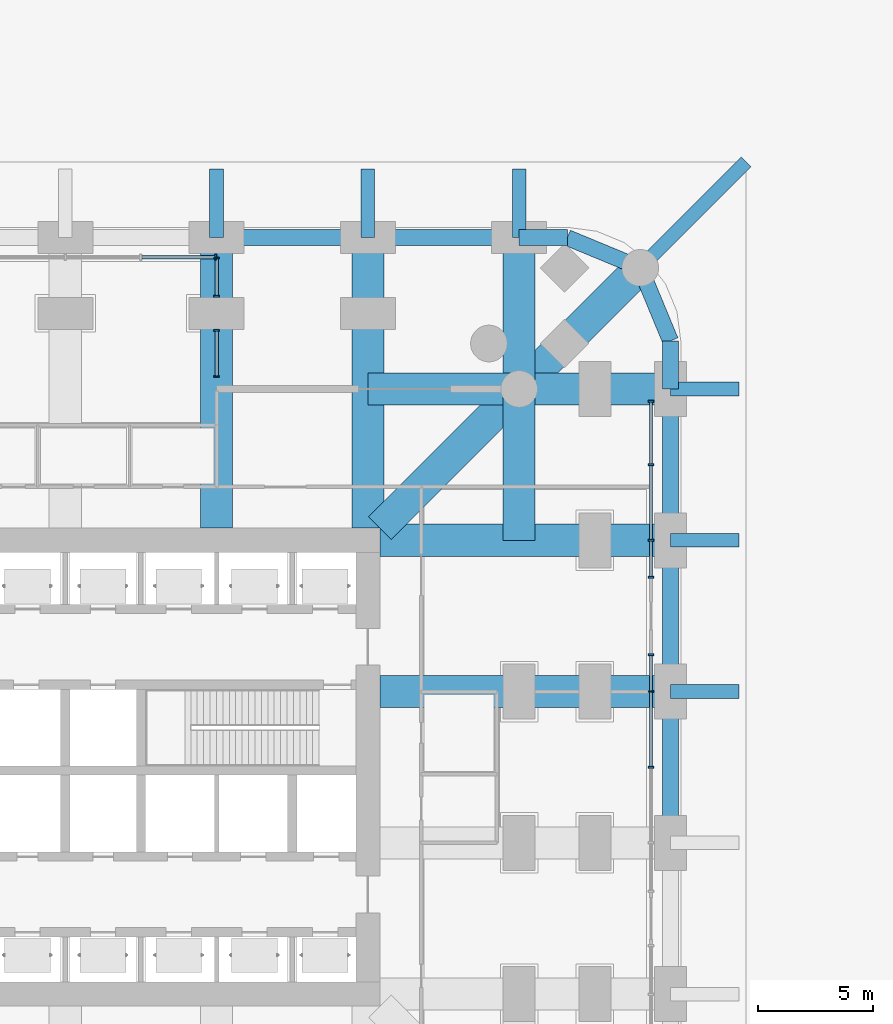
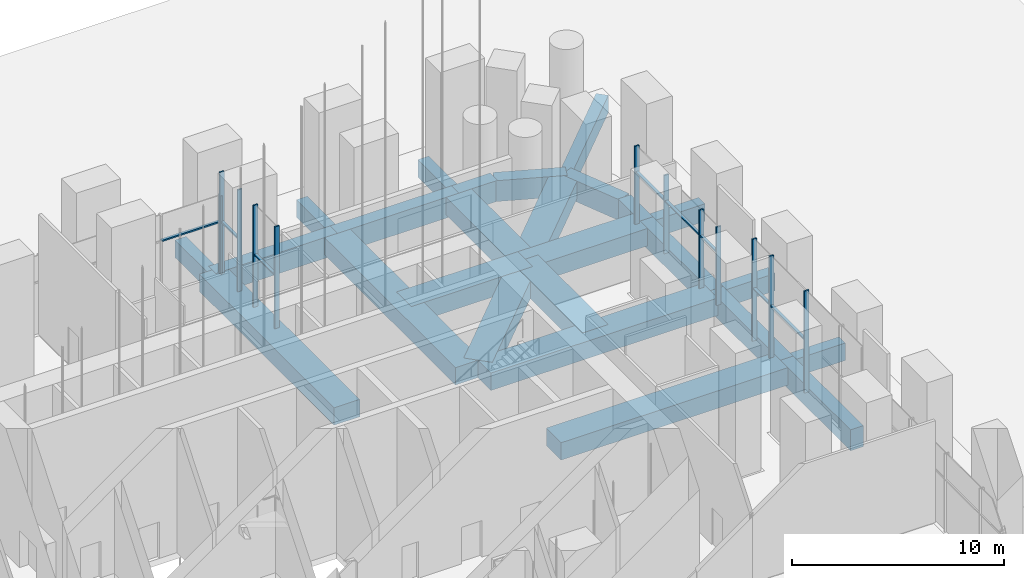
# One storey, part 11 of 32: 26 beams, 20 members, 5 elements without a shape of their own.
"""IFC4 building model written with IfcOpenShell, lengths in metres."""

import ifcopenshell
import ifcopenshell.guid

model = None  # the IFC model being written
_history = None  # IfcOwnerHistory: only IFC2X3 demands one
_inside = {}  # id of a spatial element -> (the spatial element, [elements in it])
_under = {}  # id of a project, library or spatial element -> (it, [spatial elements below it])
_declared = {}  # id of a project -> (the project, [libraries it declares])
_typed = {}  # id of a type object -> (the type object, [elements of that type])
_made_of = {}  # id of a material, layer set ... -> (it, [elements and type objects made of it])


def new_model(schema):
    """Start an empty IFC model of exactly this schema.

    Asked for "IFC4X3", IfcOpenShell would pick the latest addendum, in which some entities
    have other attributes; the version numbers below select the first issue.
    IFC2X3 requires an IfcOwnerHistory on every rooted entity: one is made here for all.
    """
    global model, _history
    if schema == "IFC4X3":
        model = ifcopenshell.file(schema_version=(4, 3, 0, 0))
    else:
        model = ifcopenshell.file(schema=schema)
    _inside.clear()
    _under.clear()
    _declared.clear()
    _typed.clear()
    _made_of.clear()
    _history = None
    if model.schema == "IFC2X3":
        org = make("IfcOrganization", Name="unknown")
        user = make(
            "IfcPersonAndOrganization",
            ThePerson=make("IfcPerson", FamilyName="unknown"),
            TheOrganization=org,
        )
        app = make(
            "IfcApplication",
            ApplicationDeveloper=org,
            Version="unknown",
            ApplicationFullName="unknown",
            ApplicationIdentifier="unknown",
        )
        _history = make(
            "IfcOwnerHistory",
            OwningUser=user,
            OwningApplication=app,
            ChangeAction="ADDED",
            CreationDate=0,
        )
    return model


def make(cls, **values):
    """One entity of the class cls with the attributes given. An attribute that is None is left unset."""
    return model.create_entity(
        cls, **{name: value for name, value in values.items() if value is not None}
    )


def rooted(cls, **values):
    """An entity with a GlobalId (a new one), such as an element, a storey or a relation."""
    return make(cls, GlobalId=ifcopenshell.guid.new(), OwnerHistory=_history, **values)


def si_unit(unit_type, name, prefix=None):
    """IfcSIUnit, for example si_unit("LENGTHUNIT", "METRE", prefix="MILLI")."""
    return make("IfcSIUnit", UnitType=unit_type, Prefix=prefix, Name=name)


def assignment(units):
    """IfcUnitAssignment: the units of a project."""
    return None if units is None else make("IfcUnitAssignment", Units=units)


def point(xyz):
    """IfcCartesianPoint."""
    return None if xyz is None else make("IfcCartesianPoint", Coordinates=xyz)


def direction(xyz):
    """IfcDirection."""
    return None if xyz is None else make("IfcDirection", DirectionRatios=xyz)


def frame(location, z_axis=None, x_axis=None):
    """IfcAxis2Placement3D, a coordinate frame: its origin and axes. An axis left out is left unset."""
    return make(
        "IfcAxis2Placement3D",
        Location=point(location),
        Axis=direction(z_axis),
        RefDirection=direction(x_axis),
    )


def frame_2d(location, x_axis=None):
    """IfcAxis2Placement2D, a coordinate frame in the plane: its origin and x axis."""
    return make(
        "IfcAxis2Placement2D", Location=point(location), RefDirection=direction(x_axis)
    )


def origin():
    """The frame at (0, 0, 0) with its axes left unset."""
    return frame((0.0, 0.0, 0.0))


def origin_2d():
    """The frame at (0, 0) in the plane with its x axis left unset."""
    return frame_2d((0.0, 0.0))


def place(relative_to, where):
    """IfcLocalPlacement: puts the frame where relative to a parent placement (None: the world)."""
    return make(
        "IfcLocalPlacement", PlacementRelTo=relative_to, RelativePlacement=where
    )


def context(
    kind, dimensions, precision=None, world=None, true_north=None, identifier=None
):
    """IfcGeometricRepresentationContext, for example the 3D "Model" context."""
    return make(
        "IfcGeometricRepresentationContext",
        ContextIdentifier=identifier,
        ContextType=kind,
        CoordinateSpaceDimension=dimensions,
        Precision=precision,
        WorldCoordinateSystem=world,
        TrueNorth=true_north,
    )


def subcontext(parent, identifier, kind, view, scale=None):
    """IfcGeometricRepresentationSubContext, for example "Body" below "Model"."""
    return make(
        "IfcGeometricRepresentationSubContext",
        ContextIdentifier=identifier,
        ContextType=kind,
        ParentContext=parent,
        TargetScale=scale,
        TargetView=view,
    )


def project(units=None, contexts=None):
    """IfcProject with its units and contexts."""
    return rooted(
        "IfcProject",
        Name="project",
        RepresentationContexts=contexts,
        UnitsInContext=assignment(units),
    )


def spatial(cls, under=None, at=None, **own):
    """A site, building, storey or space (cls), placed at a placement, below another one or the project."""
    s = rooted(cls, ObjectPlacement=at, **own)
    if under is not None:
        _under.setdefault(under.id(), (under, []))[1].append(s)
    return s


def profile(cls, at=None, kind="AREA", **sizes):
    """A parametric profile (cls). Its sizes go by their IFC names, for example OverallWidth=200.0."""
    return make(cls, ProfileType=kind, Position=at, **sizes)


def rectangle(**sizes):
    """IfcRectangleProfileDef."""
    return profile("IfcRectangleProfileDef", **sizes)


def extrude(swept, where, along, depth):
    """IfcExtrudedAreaSolid: the profile swept, set in the frame where, extruded along a direction by depth."""
    return make(
        "IfcExtrudedAreaSolid",
        SweptArea=swept,
        Position=where,
        ExtrudedDirection=direction(along),
        Depth=depth,
    )


def shape(context_of_items, identifier, shape_type, items):
    """IfcShapeRepresentation: the items that make up one representation, for example the "Body"."""
    return make(
        "IfcShapeRepresentation",
        ContextOfItems=context_of_items,
        RepresentationIdentifier=identifier,
        RepresentationType=shape_type,
        Items=items,
    )


def material(Name=None, Category=None):
    """IfcMaterial."""
    return make("IfcMaterial", Name=Name, Category=Category)


def material_profile(
    of_material, cross_section, Name=None, Category=None, Priority=None
):
    """IfcMaterialProfile: a cross section and its material."""
    return make(
        "IfcMaterialProfile",
        Name=Name,
        Material=of_material,
        Profile=cross_section,
        Priority=Priority,
        Category=Category,
    )


def profile_set(profiles, Name=None, composite=None):
    """IfcMaterialProfileSet."""
    return make(
        "IfcMaterialProfileSet",
        Name=Name,
        MaterialProfiles=profiles,
        CompositeProfile=composite,
    )


def made_of(thing, what):
    """Note that an element or type object is made of a material, layer set ...; save() writes the relation."""
    if what is not None:
        _made_of.setdefault(what.id(), (what, []))[1].append(thing)
    return thing


def type_object(cls, material=None, **own):
    """A type object (cls), such as IfcWallType, which elements share."""
    return made_of(rooted(cls, **own), material)


def element(
    cls,
    number,
    at=None,
    inside=None,
    cuts=None,
    type_object=None,
    material=None,
    context=None,
    identifier="Body",
    shape_type=None,
    held_by="IfcProductDefinitionShape",
    body=None,
    shapes=None,
    **own,
):
    """One element of the class cls, such as IfcWall. Its Tag is "e" and its number.

    at: its placement. inside: the storey or other place that contains it. cuts: it is an
    opening in that element (IfcRelVoidsElement). A single representation is given by context,
    identifier, shape_type and body (its items); several are given by shapes. held_by: the class
    of the entity that holds the representations. save() writes the other relations.
    """
    e = rooted(cls, Tag="e%d" % number, ObjectPlacement=at, **own)
    if body is not None:
        shapes = [shape(context, identifier, shape_type, body)]
    if shapes is not None:
        e.Representation = make(held_by, Representations=shapes)
    if inside is not None:
        _inside.setdefault(inside.id(), (inside, []))[1].append(e)
    if cuts is not None:
        rooted(
            "IfcRelVoidsElement", RelatingBuildingElement=cuts, RelatedOpeningElement=e
        )
    if type_object is not None:
        _typed.setdefault(type_object.id(), (type_object, []))[1].append(e)
    return made_of(e, material)


def aggregate(whole, parts):
    """IfcRelAggregates: a whole, such as a stair, and the parts it consists of."""
    return rooted("IfcRelAggregates", RelatingObject=whole, RelatedObjects=parts)


def save(model, path):
    """Write the relations noted so far, then the file.

    IfcRelAggregates (storeys below a building ...), IfcRelContainedInSpatialStructure (elements
    in a storey), IfcRelDefinesByType, IfcRelAssociatesMaterial and IfcRelDeclares: one each for
    every whole, place, type object, material and project.
    """
    for whole, parts in _under.values():
        aggregate(whole, parts)
    for where, things in _inside.values():
        rooted(
            "IfcRelContainedInSpatialStructure",
            RelatedElements=things,
            RelatingStructure=where,
        )
    for kind, things in _typed.values():
        rooted("IfcRelDefinesByType", RelatedObjects=things, RelatingType=kind)
    for what, things in _made_of.values():
        rooted("IfcRelAssociatesMaterial", RelatedObjects=things, RelatingMaterial=what)
    for by, libraries in _declared.values():
        rooted("IfcRelDeclares", RelatingContext=by, RelatedDefinitions=libraries)
    model.write(path)


model = new_model("IFC4")

# Units and contexts
model_context = context("Model", 3, precision=1e-05, world=origin(), true_north=direction((0.0, 1.0)))
body_context = subcontext(model_context, "Body", "Model", "MODEL_VIEW")
ifc_project = project(units=[si_unit("LENGTHUNIT", "METRE"), si_unit("AREAUNIT", "SQUARE_METRE"), si_unit("VOLUMEUNIT", "CUBIC_METRE"), si_unit("PLANEANGLEUNIT", "RADIAN"), si_unit("MASSUNIT", "GRAM", prefix="KILO")], contexts=[model_context])

# Site, building, storey
site_placement = place(None, origin())
site = spatial("IfcSite", under=ifc_project, at=site_placement, CompositionType="ELEMENT")
building_placement = place(site_placement, origin())
building = spatial("IfcBuilding", under=site, at=building_placement, Name="Cobogo Forest Laboratory Tower", CompositionType="ELEMENT")
storey_placement = place(building_placement, origin())
storey = spatial("IfcBuildingStorey", under=building, at=storey_placement, Name="L00", CompositionType="ELEMENT", Elevation=0.0)

# Curtain wall, member
ifc_material_1 = material(Name="Aluminium curtain wall", Category="aluminium")
curtain_wall_type = type_object("IfcCurtainWallType", Name="CW-L structural glazing, entrance lobby", PredefinedType="USERDEFINED", material=ifc_material_1)
curtain_wall_1_placement = place(storey_placement, origin())
curtain_wall_1 = element("IfcCurtainWall", 1, at=curtain_wall_1_placement, inside=storey, type_object=curtain_wall_type, Name="Curtain wall 07 L00", ObjectType="STRUCTURAL GLAZING", PredefinedType="USERDEFINED")
ifc_material_2 = material(Name="Aluminium mullion", Category="aluminium")
ifc_material_profile_1 = material_profile(ifc_material_2, rectangle(XDim=0.080078125, YDim=0.25, at=origin_2d()), Name="AL 80x250")
ifc_profile_set_1 = profile_set([ifc_material_profile_1], Name="Aluminium mullion")
member_type_1 = type_object("IfcMemberType", Name="MU-4 aluminium lobby mullion 80x250", PredefinedType="MULLION", material=ifc_profile_set_1)
member_1_placement = place(storey_placement, frame((32.9599609375, 45.35009765625, 0.0), z_axis=(0.0, 0.0, 1.0), x_axis=(1.0, 0.0, 0.0)))
member_1 = element("IfcMember", 2, at=member_1_placement, type_object=member_type_1, Name="CW-L mullion 10", PredefinedType="MULLION", context=body_context, shape_type="SweptSolid", body=[
    extrude(rectangle(XDim=0.080078125, YDim=0.25, at=origin_2d()), origin(), (0.0, 0.0, 1.0), 4.5),
])

# Curtain wall, members
curtain_wall_2_placement = place(storey_placement, origin())
curtain_wall_2 = element("IfcCurtainWall", 3, at=curtain_wall_2_placement, inside=storey, type_object=curtain_wall_type, Name="Curtain wall 08 L00", ObjectType="STRUCTURAL GLAZING", PredefinedType="USERDEFINED")
member_2_placement = place(storey_placement, frame((33.0, 45.31005859375, 0.0), z_axis=(0.0, 0.0, 1.0), x_axis=(0.0, -1.0, 0.0)))
member_2 = element("IfcMember", 4, at=member_2_placement, type_object=member_type_1, Name="CW-L mullion 1", PredefinedType="MULLION", context=body_context, shape_type="SweptSolid", body=[
    extrude(rectangle(XDim=0.080078125, YDim=0.25, at=origin_2d()), origin(), (0.0, 0.0, 1.0), 5.85009765625),
])
member_3_placement = place(storey_placement, frame((33.0, 43.639892578125, 0.0), z_axis=(0.0, 0.0, 1.0), x_axis=(0.0, -1.0, 0.0)))
member_3 = element("IfcMember", 5, at=member_3_placement, type_object=member_type_1, Name="CW-L mullion 2", PredefinedType="MULLION", context=body_context, shape_type="SweptSolid", body=[
    extrude(rectangle(XDim=0.080078125, YDim=0.25, at=origin_2d()), origin(), (0.0, 0.0, 1.0), 5.85009765625),
])

curtain_wall_3_placement = place(storey_placement, origin())
curtain_wall_3 = element("IfcCurtainWall", 6, at=curtain_wall_3_placement, inside=storey, type_object=curtain_wall_type, Name="Curtain wall 09 L00", ObjectType="STRUCTURAL GLAZING", PredefinedType="USERDEFINED")
member_4_placement = place(storey_placement, frame((33.0, 42.159912109375, 0.0), z_axis=(0.0, 0.0, 1.0), x_axis=(0.0, -1.0, 0.0)))
member_4 = element("IfcMember", 7, at=member_4_placement, type_object=member_type_1, Name="CW-L mullion 1", PredefinedType="MULLION", context=body_context, shape_type="SweptSolid", body=[
    extrude(rectangle(XDim=0.080078125, YDim=0.25, at=origin_2d()), origin(), (0.0, 0.0, 1.0), 5.85009765625),
])
member_5_placement = place(storey_placement, frame((33.0, 40.139892578125, 0.0), z_axis=(0.0, 0.0, 1.0), x_axis=(0.0, -1.0, 0.0)))
member_5 = element("IfcMember", 8, at=member_5_placement, type_object=member_type_1, Name="CW-L mullion 2", PredefinedType="MULLION", context=body_context, shape_type="SweptSolid", body=[
    extrude(rectangle(XDim=0.080078125, YDim=0.25, at=origin_2d()), origin(), (0.0, 0.0, 1.0), 5.85009765625),
])

curtain_wall_4_placement = place(storey_placement, origin())
curtain_wall_4 = element("IfcCurtainWall", 9, at=curtain_wall_4_placement, inside=storey, type_object=curtain_wall_type, Name="Curtain wall 10 L00", ObjectType="STRUCTURAL GLAZING", PredefinedType="USERDEFINED")
member_6_placement = place(storey_placement, frame((51.949951171875, 39.06005859375, 0.0), z_axis=(0.0, 0.0, 1.0), x_axis=(0.0, -1.0, 0.0)))
member_6 = element("IfcMember", 10, at=member_6_placement, type_object=member_type_1, Name="CW-L mullion 1", PredefinedType="MULLION", context=body_context, shape_type="SweptSolid", body=[
    extrude(rectangle(XDim=0.080078125, YDim=0.25, at=origin_2d()), origin(), (0.0, 0.0, 1.0), 4.5),
])
member_7_placement = place(storey_placement, frame((51.949951171875, 36.300048828125, 0.0), z_axis=(0.0, 0.0, 1.0), x_axis=(0.0, -1.0, 0.0)))
member_7 = element("IfcMember", 11, at=member_7_placement, type_object=member_type_1, Name="CW-L mullion 2", PredefinedType="MULLION", context=body_context, shape_type="SweptSolid", body=[
    extrude(rectangle(XDim=0.080078125, YDim=0.25, at=origin_2d()), origin(), (0.0, 0.0, 1.0), 4.5),
])
member_8_placement = place(storey_placement, frame((51.949951171875, 33.0, 0.0), z_axis=(0.0, 0.0, 1.0), x_axis=(0.0, -1.0, 0.0)))
member_8 = element("IfcMember", 12, at=member_8_placement, type_object=member_type_1, Name="CW-L mullion 3", PredefinedType="MULLION", context=body_context, shape_type="SweptSolid", body=[
    extrude(rectangle(XDim=0.080078125, YDim=0.25, at=origin_2d()), origin(), (0.0, 0.0, 1.0), 4.5),
])
member_9_placement = place(storey_placement, frame((51.949951171875, 31.389892578125, 0.0), z_axis=(0.0, 0.0, 1.0), x_axis=(0.0, -1.0, 0.0)))
member_9 = element("IfcMember", 13, at=member_9_placement, type_object=member_type_1, Name="CW-L mullion 4", PredefinedType="MULLION", context=body_context, shape_type="SweptSolid", body=[
    extrude(rectangle(XDim=0.080078125, YDim=0.25, at=origin_2d()), origin(), (0.0, 0.0, 1.0), 4.5),
])

curtain_wall_5_placement = place(storey_placement, origin())
curtain_wall_5 = element("IfcCurtainWall", 14, at=curtain_wall_5_placement, inside=storey, type_object=curtain_wall_type, Name="Curtain wall 11 L00", ObjectType="STRUCTURAL GLAZING", PredefinedType="USERDEFINED")
member_10_placement = place(storey_placement, frame((51.949951171875, 28.010009765625, 0.0), z_axis=(0.0, 0.0, 1.0), x_axis=(0.0, -1.0, 0.0)))
member_10 = element("IfcMember", 15, at=member_10_placement, type_object=member_type_1, Name="CW-L mullion 1", PredefinedType="MULLION", context=body_context, shape_type="SweptSolid", body=[
    extrude(rectangle(XDim=0.080078125, YDim=0.25, at=origin_2d()), origin(), (0.0, 0.0, 1.0), 5.85009765625),
])
member_11_placement = place(storey_placement, frame((51.949951171875, 26.39990234375, 0.0), z_axis=(0.0, 0.0, 1.0), x_axis=(0.0, -1.0, 0.0)))
member_11 = element("IfcMember", 16, at=member_11_placement, type_object=member_type_1, Name="CW-L mullion 2", PredefinedType="MULLION", context=body_context, shape_type="SweptSolid", body=[
    extrude(rectangle(XDim=0.080078125, YDim=0.25, at=origin_2d()), origin(), (0.0, 0.0, 1.0), 5.85009765625),
])
member_12_placement = place(storey_placement, frame((51.949951171875, 23.10009765625, 0.0), z_axis=(0.0, 0.0, 1.0), x_axis=(0.0, -1.0, 0.0)))
member_12 = element("IfcMember", 17, at=member_12_placement, type_object=member_type_1, Name="CW-L mullion 3", PredefinedType="MULLION", context=body_context, shape_type="SweptSolid", body=[
    extrude(rectangle(XDim=0.080078125, YDim=0.25, at=origin_2d()), origin(), (0.0, 0.0, 1.0), 5.85009765625),
])

# Beams
ifc_material_3 = material(Name="Concrete HA-40 (C40/50)", Category="concrete")
ifc_material_profile_2 = material_profile(ifc_material_3, rectangle(XDim=0.699951171875, YDim=1.199951171875, at=origin_2d()), Name="RC 700x1200")
ifc_profile_set_2 = profile_set([ifc_material_profile_2], Name="Concrete HA-40 (C40/50)")
beam_type_1 = type_object("IfcBeamType", Name="Perimeter edge beam 700x1200", PredefinedType="BEAM", material=ifc_profile_set_2)
beam_1_placement = place(storey_placement, frame((52.800048828125, 19.800048828125, -0.949951171875), z_axis=(0.0, 1.0, 0.0), x_axis=(-1.0, 0.0, 0.0)))
element("IfcBeam", 18, at=beam_1_placement, inside=storey, type_object=beam_type_1, Name="EB1 E-E3 L00", PredefinedType="BEAM", context=body_context, shape_type="SweptSolid", body=[
    extrude(rectangle(XDim=0.699951171875, YDim=1.199951171875, at=origin_2d()), origin(), (0.0, 0.0, 1.0), 6.599853515625),
])
for number, where, z_axis, x_axis, name in (
    (19, (52.800048828125, 26.39990234375, -0.949951171875), (0.0, 1.0, 0.0), (-1.0, 0.0, 0.0), "EB1 E-E4 L00"),
    (20, (52.800048828125, 33.0, -0.949951171875), (0.0, 1.0, 0.0), (-1.0, 0.0, 0.0), "EB1 E-E5 L00"),
    (21, (33.0, 46.199951171875, -0.949951171875), (1.0, 0.0, 0.0), (0.0, 1.0, 0.0), "EB1 E-N5 L00"),
):
    element("IfcBeam", number, at=place(storey_placement, frame(where, z_axis=z_axis, x_axis=x_axis)), inside=storey, type_object=beam_type_1, Name=name, PredefinedType="BEAM", context=body_context, shape_type="SweptSolid", body=[
        extrude(rectangle(XDim=0.699951171875, YDim=1.199951171875, at=origin_2d()), origin(), (0.0, 0.0, 1.0), 6.60009765625),
    ])
beam_2_placement = place(storey_placement, frame((39.60009765625, 46.199951171875, -0.949951171875), z_axis=(1.0, 0.0, 0.0), x_axis=(0.0, 1.0, 0.0)))
element("IfcBeam", 22, at=beam_2_placement, inside=storey, type_object=beam_type_1, Name="EB1 E-N6 L00", PredefinedType="BEAM", context=body_context, shape_type="SweptSolid", body=[
    extrude(rectangle(XDim=0.699951171875, YDim=1.199951171875, at=origin_2d()), origin(), (0.0, 0.0, 1.0), 6.599853515625),
])
beam_3_placement = place(storey_placement, frame((52.800048828125, 39.60009765625, -0.949951171875), z_axis=(0.0, 1.0, 0.0), x_axis=(-1.0, 0.0, 0.0)))
element("IfcBeam", 23, at=beam_3_placement, inside=storey, type_object=beam_type_1, Name="EB1 E-NEE1 L00", PredefinedType="BEAM", context=body_context, shape_type="SweptSolid", body=[
    extrude(rectangle(XDim=0.699951171875, YDim=1.199951171875, at=origin_2d()), origin(), (0.0, 0.0, 1.0), 2.099853515625),
])
beam_4_placement = place(storey_placement, frame((52.800048828125, 41.699951171875, -0.949951171875), z_axis=(-0.382691928466, 0.923876013265, 0.0), x_axis=(-0.923876013265, -0.382691928466, 0.0)))
element("IfcBeam", 24, at=beam_4_placement, inside=storey, type_object=beam_type_1, Name="EB1 E-NEE2 L00", PredefinedType="BEAM", context=body_context, shape_type="SweptSolid", body=[
    extrude(rectangle(XDim=0.699951171875, YDim=1.199951171875, at=origin_2d()), origin(), (0.0, 0.0, 1.0), 3.4443359375),
])
beam_5_placement = place(storey_placement, frame((46.199951171875, 46.199951171875, -0.949951171875), z_axis=(1.0, 0.0, 0.0), x_axis=(0.0, 1.0, 0.0)))
element("IfcBeam", 25, at=beam_5_placement, inside=storey, type_object=beam_type_1, Name="EB1 E-NEN1 L00", PredefinedType="BEAM", context=body_context, shape_type="SweptSolid", body=[
    extrude(rectangle(XDim=0.699951171875, YDim=1.199951171875, at=origin_2d()), origin(), (0.0, 0.0, 1.0), 2.10009765625),
])
beam_6_placement = place(storey_placement, frame((48.300048828125, 46.199951171875, -0.949951171875), z_axis=(0.923890694089, -0.382656484822, 0.0), x_axis=(0.382656484822, 0.923890694089, 0.0)))
element("IfcBeam", 26, at=beam_6_placement, inside=storey, type_object=beam_type_1, Name="EB1 E-NEN2 L00", PredefinedType="BEAM", context=body_context, shape_type="SweptSolid", body=[
    extrude(rectangle(XDim=0.699951171875, YDim=1.199951171875, at=origin_2d()), origin(), (0.0, 0.0, 1.0), 3.444091796875),
])
ifc_material_profile_3 = material_profile(ifc_material_3, rectangle(XDim=0.60009765625, YDim=1.0, at=origin_2d()), Name="RC 600x1000")
ifc_profile_set_3 = profile_set([ifc_material_profile_3], Name="Concrete HA-40 (C40/50)")
beam_type_2 = type_object("IfcBeamType", Name="Plaza deck beam 600x1000", PredefinedType="BEAM", material=ifc_profile_set_3)
beam_7_placement = place(storey_placement, frame((51.48193359375, 44.882080078125, -0.85009765625), z_axis=(0.707125472139, 0.70708808974, 0.0), x_axis=(-0.70708808974, 0.707125472139, 0.0)))
element("IfcBeam", 27, at=beam_7_placement, inside=storey, type_object=beam_type_2, Name="RB3 P-CNR-NE L00", PredefinedType="BEAM", context=body_context, shape_type="SweptSolid", body=[
    extrude(rectangle(XDim=0.60009765625, YDim=1.0, at=origin_2d()), origin(), (0.0, 0.0, 1.0), 6.531005859375),
])
for number, where, z_axis, x_axis, name in (
    (28, (52.800048828125, 26.39990234375, -0.85009765625), (1.0, 0.0, 0.0), (0.0, 1.0, 0.0), "RB3 P-9-E L00"),
    (29, (52.800048828125, 33.0, -0.85009765625), (1.0, 0.0, 0.0), (0.0, 1.0, 0.0), "RB3 P-9-F L00"),
    (30, (52.800048828125, 39.60009765625, -0.85009765625), (1.0, 0.0, 0.0), (0.0, 1.0, 0.0), "RB3 P-9-G L00"),
    (31, (33.0, 46.199951171875, -0.85009765625), (0.0, 1.0, 0.0), (-1.0, 0.0, 0.0), "RB3 P-6-H L00"),
    (32, (39.60009765625, 46.199951171875, -0.85009765625), (0.0, 1.0, 0.0), (-1.0, 0.0, 0.0), "RB3 P-7-H L00"),
    (33, (46.199951171875, 46.199951171875, -0.85009765625), (0.0, 1.0, 0.0), (-1.0, 0.0, 0.0), "RB3 P-8-H L00"),
):
    element("IfcBeam", number, at=place(storey_placement, frame(where, z_axis=z_axis, x_axis=x_axis)), inside=storey, type_object=beam_type_2, Name=name, PredefinedType="BEAM", context=body_context, shape_type="SweptSolid", body=[
        extrude(rectangle(XDim=0.60009765625, YDim=1.0, at=origin_2d()), origin(), (0.0, 0.0, 1.0), 3.0),
    ])
ifc_material_profile_4 = material_profile(ifc_material_3, rectangle(XDim=1.39990234375, YDim=1.0, at=origin_2d()), Name="RC 1400x1000")
ifc_profile_set_4 = profile_set([ifc_material_profile_4], Name="Concrete HA-40 (C40/50)")
beam_type_3 = type_object("IfcBeamType", Name="Podium deck wide beam 1400x1000", PredefinedType="BEAM", material=ifc_profile_set_4)
for number, where, z_axis, x_axis, name in (
    (34, (33.0, 33.52490234375, -0.85009765625), (0.0, 1.0, 0.0), (-1.0, 0.0, 0.0), "RB5 R-6-N L00"),
    (35, (39.60009765625, 33.52490234375, -0.85009765625), (0.0, 1.0, 0.0), (-1.0, 0.0, 0.0), "RB5 R-7-N L00"),
    (36, (40.125, 26.39990234375, -0.85009765625), (1.0, 0.0, 0.0), (0.0, 1.0, 0.0), "RB5 R-E-E L00"),
    (37, (40.125, 33.0, -0.85009765625), (1.0, 0.0, 0.0), (0.0, 1.0, 0.0), "RB5 R-F-E L00"),
):
    element("IfcBeam", number, at=place(storey_placement, frame(where, z_axis=z_axis, x_axis=x_axis)), inside=storey, type_object=beam_type_3, Name=name, PredefinedType="BEAM", context=body_context, shape_type="SweptSolid", body=[
        extrude(rectangle(XDim=1.39990234375, YDim=1.0, at=origin_2d()), origin(), (0.0, 0.0, 1.0), 12.675048828125),
    ])
beam_8_placement = place(storey_placement, frame((46.199951171875, 46.199951171875, -0.85009765625), z_axis=(0.0, -1.0, 0.0), x_axis=(1.0, 0.0, 0.0)))
element("IfcBeam", 38, at=beam_8_placement, inside=storey, type_object=beam_type_3, Name="RB5 G-NE-XF L00", PredefinedType="BEAM", context=body_context, shape_type="SweptSolid", body=[
    extrude(rectangle(XDim=1.39990234375, YDim=1.0, at=origin_2d()), origin(), (0.0, 0.0, 1.0), 6.599853515625),
])
for number, where, z_axis, x_axis, name in (
    (39, (46.199951171875, 39.60009765625, -0.85009765625), (0.0, -1.0, 0.0), (1.0, 0.0, 0.0), "RB5 G-NE-XC L00"),
    (40, (52.800048828125, 39.60009765625, -0.85009765625), (-1.0, 0.0, 0.0), (0.0, -1.0, 0.0), "RB5 G-NE-YF L00"),
):
    element("IfcBeam", number, at=place(storey_placement, frame(where, z_axis=z_axis, x_axis=x_axis)), inside=storey, type_object=beam_type_3, Name=name, PredefinedType="BEAM", context=body_context, shape_type="SweptSolid", body=[
        extrude(rectangle(XDim=1.39990234375, YDim=1.0, at=origin_2d()), origin(), (0.0, 0.0, 1.0), 6.60009765625),
    ])
beam_9_placement = place(storey_placement, frame((46.199951171875, 39.60009765625, -0.85009765625), z_axis=(-1.0, 0.0, 0.0), x_axis=(0.0, -1.0, 0.0)))
element("IfcBeam", 41, at=beam_9_placement, inside=storey, type_object=beam_type_3, Name="RB5 G-NE-YC L00", PredefinedType="BEAM", context=body_context, shape_type="SweptSolid", body=[
    extrude(rectangle(XDim=1.39990234375, YDim=1.0, at=origin_2d()), origin(), (0.0, 0.0, 1.0), 6.599853515625),
])
beam_10_placement = place(storey_placement, frame((51.48193359375, 44.882080078125, -0.85009765625), z_axis=(-0.707106781187, -0.707106781187, 0.0), x_axis=(0.707106781187, -0.707106781187, 0.0)))
element("IfcBeam", 42, at=beam_10_placement, inside=storey, type_object=beam_type_3, Name="RB5 G-NE-D1 L00", PredefinedType="BEAM", context=body_context, shape_type="SweptSolid", body=[
    extrude(rectangle(XDim=1.39990234375, YDim=1.0, at=origin_2d()), origin(), (0.0, 0.0, 1.0), 7.469970703125),
])
beam_11_placement = place(storey_placement, frame((46.199951171875, 39.60009765625, -0.85009765625), z_axis=(-0.707092572697, -0.70712098939, 0.0), x_axis=(0.70712098939, -0.707092572697, 0.0)))
element("IfcBeam", 43, at=beam_11_placement, inside=storey, type_object=beam_type_3, Name="RB5 G-NE-D2 L00", PredefinedType="BEAM", context=body_context, shape_type="SweptSolid", body=[
    extrude(rectangle(XDim=1.39990234375, YDim=1.0, at=origin_2d()), origin(), (0.0, 0.0, 1.0), 8.591552734375),
])

# Member
ifc_material_4 = material(Name="Aluminium transom", Category="aluminium")
ifc_material_profile_5 = material_profile(ifc_material_4, rectangle(XDim=0.14990234375, YDim=0.080078125, at=origin_2d()), Name="AL 80x150")
ifc_profile_set_5 = profile_set([ifc_material_profile_5], Name="Aluminium transom")
member_type_2 = type_object("IfcMemberType", Name="TR-3 aluminium lobby transom 80x150", PredefinedType="USERDEFINED", material=ifc_profile_set_5)
member_13_placement = place(storey_placement, frame((29.739990234375, 45.35009765625, 3.0), z_axis=(1.0, 0.0, 0.0), x_axis=(0.0, 1.0, 0.0)))
member_13 = element("IfcMember", 44, at=member_13_placement, type_object=member_type_2, Name="CW-L transom 9.1", ObjectType="TRANSOM", PredefinedType="USERDEFINED", context=body_context, shape_type="SweptSolid", body=[
    extrude(rectangle(XDim=0.14990234375, YDim=0.080078125, at=origin_2d()), origin(), (0.0, 0.0, 1.0), 3.179931640625),
])

aggregate(curtain_wall_1, [member_1, member_13])

member_14_placement = place(storey_placement, frame((33.0, 45.27001953125, 3.0), z_axis=(0.0, -1.0, 0.0), x_axis=(1.0, 0.0, 0.0)))
member_14 = element("IfcMember", 45, at=member_14_placement, type_object=member_type_2, Name="CW-L transom 1.1", ObjectType="TRANSOM", PredefinedType="USERDEFINED", context=body_context, shape_type="SweptSolid", body=[
    extrude(rectangle(XDim=0.14990234375, YDim=0.080078125, at=origin_2d()), origin(), (0.0, 0.0, 1.0), 1.590087890625),
])

aggregate(curtain_wall_2, [member_2, member_3, member_14])

member_15_placement = place(storey_placement, frame((33.0, 42.1201171875, 3.0), z_axis=(0.0, -1.0, 0.0), x_axis=(1.0, 0.0, 0.0)))
member_15 = element("IfcMember", 46, at=member_15_placement, type_object=member_type_2, Name="CW-L transom 1.1", ObjectType="TRANSOM", PredefinedType="USERDEFINED", context=body_context, shape_type="SweptSolid", body=[
    extrude(rectangle(XDim=0.14990234375, YDim=0.080078125, at=origin_2d()), origin(), (0.0, 0.0, 1.0), 1.940185546875),
])

aggregate(curtain_wall_3, [member_4, member_5, member_15])

member_16_placement = place(storey_placement, frame((51.949951171875, 39.02001953125, 3.0), z_axis=(0.0, -1.0, 0.0), x_axis=(1.0, 0.0, 0.0)))
member_16 = element("IfcMember", 47, at=member_16_placement, type_object=member_type_2, Name="CW-L transom 1.1", ObjectType="TRANSOM", PredefinedType="USERDEFINED", context=body_context, shape_type="SweptSolid", body=[
    extrude(rectangle(XDim=0.14990234375, YDim=0.080078125, at=origin_2d()), origin(), (0.0, 0.0, 1.0), 2.679931640625),
])

member_17_placement = place(storey_placement, frame((51.949951171875, 36.260009765625, 3.0), z_axis=(0.0, -1.0, 0.0), x_axis=(1.0, 0.0, 0.0)))
member_17 = element("IfcMember", 48, at=member_17_placement, type_object=member_type_2, Name="CW-L transom 2.1", ObjectType="TRANSOM", PredefinedType="USERDEFINED", context=body_context, shape_type="SweptSolid", body=[
    extrude(rectangle(XDim=0.14990234375, YDim=0.080078125, at=origin_2d()), origin(), (0.0, 0.0, 1.0), 3.219970703125),
])

member_18_placement = place(storey_placement, frame((51.949951171875, 32.9599609375, 3.0), z_axis=(0.0, -1.0, 0.0), x_axis=(1.0, 0.0, 0.0)))
member_18 = element("IfcMember", 49, at=member_18_placement, type_object=member_type_2, Name="CW-L transom 3.1", ObjectType="TRANSOM", PredefinedType="USERDEFINED", context=body_context, shape_type="SweptSolid", body=[
    extrude(rectangle(XDim=0.14990234375, YDim=0.080078125, at=origin_2d()), origin(), (0.0, 0.0, 1.0), 1.530029296875),
])

aggregate(curtain_wall_4, [member_6, member_7, member_8, member_9, member_16, member_17, member_18])

member_19_placement = place(storey_placement, frame((51.949951171875, 27.969970703125, 3.0), z_axis=(0.0, -1.0, 0.0), x_axis=(1.0, 0.0, 0.0)))
member_19 = element("IfcMember", 50, at=member_19_placement, type_object=member_type_2, Name="CW-L transom 1.1", ObjectType="TRANSOM", PredefinedType="USERDEFINED", context=body_context, shape_type="SweptSolid", body=[
    extrude(rectangle(XDim=0.14990234375, YDim=0.080078125, at=origin_2d()), origin(), (0.0, 0.0, 1.0), 1.530029296875),
])

member_20_placement = place(storey_placement, frame((51.949951171875, 26.360107421875, 3.0), z_axis=(0.0, -1.0, 0.0), x_axis=(1.0, 0.0, 0.0)))
member_20 = element("IfcMember", 51, at=member_20_placement, type_object=member_type_2, Name="CW-L transom 2.1", ObjectType="TRANSOM", PredefinedType="USERDEFINED", context=body_context, shape_type="SweptSolid", body=[
    extrude(rectangle(XDim=0.14990234375, YDim=0.080078125, at=origin_2d()), origin(), (0.0, 0.0, 1.0), 3.22021484375),
])

aggregate(curtain_wall_5, [member_10, member_11, member_12, member_19, member_20])

save(model, "model.ifc")
